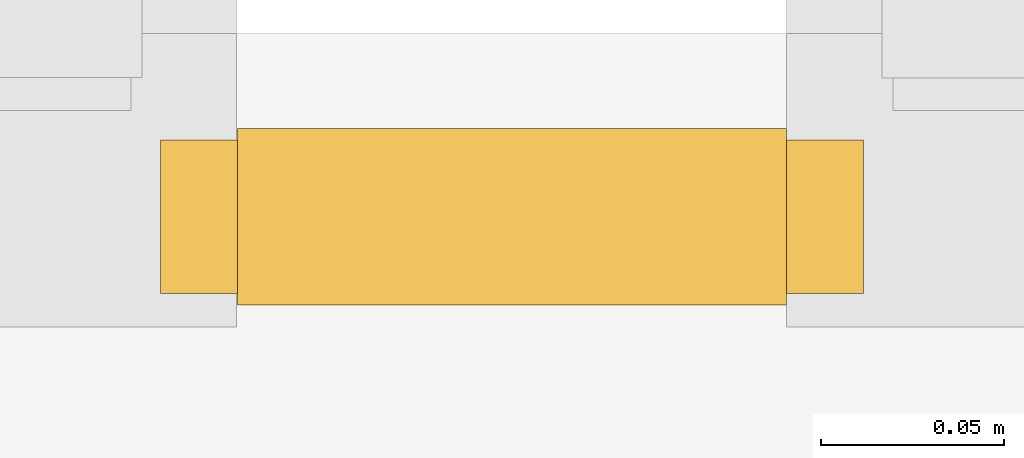
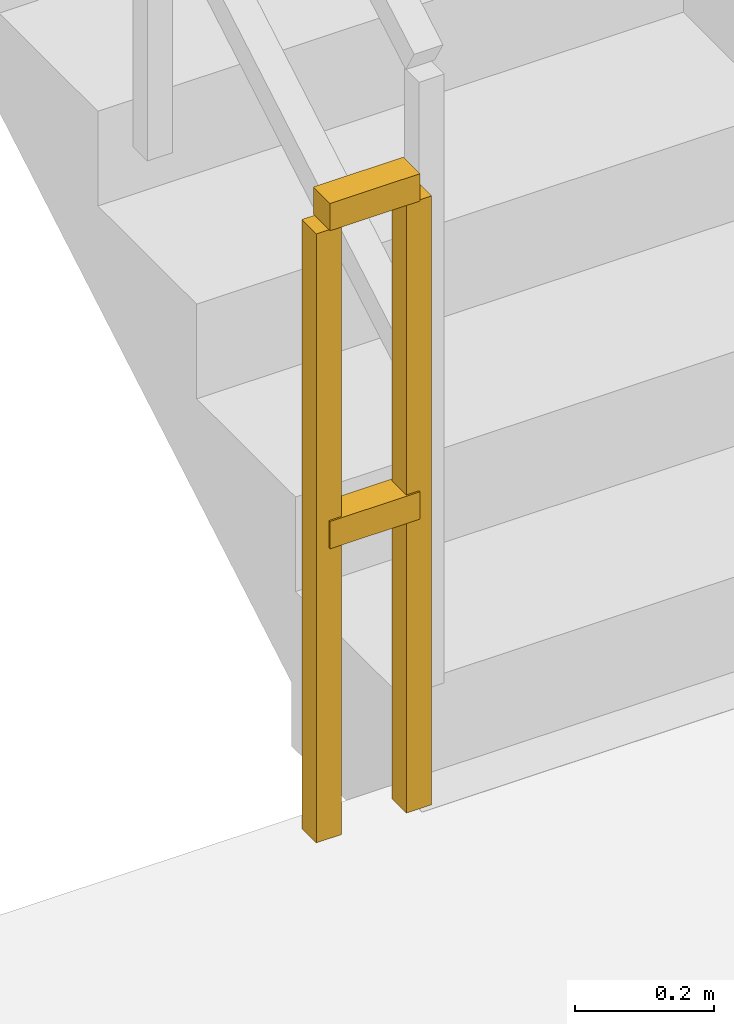
# One storey, part 7 of 10: 1 railing.
"""IFC4 building model written with IfcOpenShell, lengths in metres."""

import ifcopenshell
import ifcopenshell.guid

model = None  # the IFC model being written
_history = None  # IfcOwnerHistory: only IFC2X3 demands one
_inside = {}  # id of a spatial element -> (the spatial element, [elements in it])
_under = {}  # id of a project, library or spatial element -> (it, [spatial elements below it])
_declared = {}  # id of a project -> (the project, [libraries it declares])
_typed = {}  # id of a type object -> (the type object, [elements of that type])
_made_of = {}  # id of a material, layer set ... -> (it, [elements and type objects made of it])


def new_model(schema):
    """Start an empty IFC model of exactly this schema.

    Asked for "IFC4X3", IfcOpenShell would pick the latest addendum, in which some entities
    have other attributes; the version numbers below select the first issue.
    IFC2X3 requires an IfcOwnerHistory on every rooted entity: one is made here for all.
    """
    global model, _history
    if schema == "IFC4X3":
        model = ifcopenshell.file(schema_version=(4, 3, 0, 0))
    else:
        model = ifcopenshell.file(schema=schema)
    _inside.clear()
    _under.clear()
    _declared.clear()
    _typed.clear()
    _made_of.clear()
    _history = None
    if model.schema == "IFC2X3":
        org = make("IfcOrganization", Name="unknown")
        user = make(
            "IfcPersonAndOrganization",
            ThePerson=make("IfcPerson", FamilyName="unknown"),
            TheOrganization=org,
        )
        app = make(
            "IfcApplication",
            ApplicationDeveloper=org,
            Version="unknown",
            ApplicationFullName="unknown",
            ApplicationIdentifier="unknown",
        )
        _history = make(
            "IfcOwnerHistory",
            OwningUser=user,
            OwningApplication=app,
            ChangeAction="ADDED",
            CreationDate=0,
        )
    return model


def make(cls, **values):
    """One entity of the class cls with the attributes given. An attribute that is None is left unset."""
    return model.create_entity(
        cls, **{name: value for name, value in values.items() if value is not None}
    )


def rooted(cls, **values):
    """An entity with a GlobalId (a new one), such as an element, a storey or a relation."""
    return make(cls, GlobalId=ifcopenshell.guid.new(), OwnerHistory=_history, **values)


def si_unit(unit_type, name, prefix=None):
    """IfcSIUnit, for example si_unit("LENGTHUNIT", "METRE", prefix="MILLI")."""
    return make("IfcSIUnit", UnitType=unit_type, Prefix=prefix, Name=name)


def assignment(units):
    """IfcUnitAssignment: the units of a project."""
    return None if units is None else make("IfcUnitAssignment", Units=units)


def point(xyz):
    """IfcCartesianPoint."""
    return None if xyz is None else make("IfcCartesianPoint", Coordinates=xyz)


def direction(xyz):
    """IfcDirection."""
    return None if xyz is None else make("IfcDirection", DirectionRatios=xyz)


def frame(location, z_axis=None, x_axis=None):
    """IfcAxis2Placement3D, a coordinate frame: its origin and axes. An axis left out is left unset."""
    return make(
        "IfcAxis2Placement3D",
        Location=point(location),
        Axis=direction(z_axis),
        RefDirection=direction(x_axis),
    )


def frame_2d(location, x_axis=None):
    """IfcAxis2Placement2D, a coordinate frame in the plane: its origin and x axis."""
    return make(
        "IfcAxis2Placement2D", Location=point(location), RefDirection=direction(x_axis)
    )


def origin():
    """The frame at (0, 0, 0) with its axes left unset."""
    return frame((0.0, 0.0, 0.0))


def origin_2d():
    """The frame at (0, 0) in the plane with its x axis left unset."""
    return frame_2d((0.0, 0.0))


def place(relative_to, where):
    """IfcLocalPlacement: puts the frame where relative to a parent placement (None: the world)."""
    return make(
        "IfcLocalPlacement", PlacementRelTo=relative_to, RelativePlacement=where
    )


def context(
    kind, dimensions, precision=None, world=None, true_north=None, identifier=None
):
    """IfcGeometricRepresentationContext, for example the 3D "Model" context."""
    return make(
        "IfcGeometricRepresentationContext",
        ContextIdentifier=identifier,
        ContextType=kind,
        CoordinateSpaceDimension=dimensions,
        Precision=precision,
        WorldCoordinateSystem=world,
        TrueNorth=true_north,
    )


def subcontext(parent, identifier, kind, view, scale=None):
    """IfcGeometricRepresentationSubContext, for example "Body" below "Model"."""
    return make(
        "IfcGeometricRepresentationSubContext",
        ContextIdentifier=identifier,
        ContextType=kind,
        ParentContext=parent,
        TargetScale=scale,
        TargetView=view,
    )


def project(units=None, contexts=None):
    """IfcProject with its units and contexts."""
    return rooted(
        "IfcProject",
        Name="project",
        RepresentationContexts=contexts,
        UnitsInContext=assignment(units),
    )


def spatial(cls, under=None, at=None, **own):
    """A site, building, storey or space (cls), placed at a placement, below another one or the project."""
    s = rooted(cls, ObjectPlacement=at, **own)
    if under is not None:
        _under.setdefault(under.id(), (under, []))[1].append(s)
    return s


def profile(cls, at=None, kind="AREA", **sizes):
    """A parametric profile (cls). Its sizes go by their IFC names, for example OverallWidth=200.0."""
    return make(cls, ProfileType=kind, Position=at, **sizes)


def rectangle(**sizes):
    """IfcRectangleProfileDef."""
    return profile("IfcRectangleProfileDef", **sizes)


def extrude(swept, where, along, depth):
    """IfcExtrudedAreaSolid: the profile swept, set in the frame where, extruded along a direction by depth."""
    return make(
        "IfcExtrudedAreaSolid",
        SweptArea=swept,
        Position=where,
        ExtrudedDirection=direction(along),
        Depth=depth,
    )


def shape(context_of_items, identifier, shape_type, items):
    """IfcShapeRepresentation: the items that make up one representation, for example the "Body"."""
    return make(
        "IfcShapeRepresentation",
        ContextOfItems=context_of_items,
        RepresentationIdentifier=identifier,
        RepresentationType=shape_type,
        Items=items,
    )


def material(Name=None, Category=None):
    """IfcMaterial."""
    return make("IfcMaterial", Name=Name, Category=Category)


def made_of(thing, what):
    """Note that an element or type object is made of a material, layer set ...; save() writes the relation."""
    if what is not None:
        _made_of.setdefault(what.id(), (what, []))[1].append(thing)
    return thing


def type_object(cls, material=None, **own):
    """A type object (cls), such as IfcWallType, which elements share."""
    return made_of(rooted(cls, **own), material)


def element(
    cls,
    number,
    at=None,
    inside=None,
    cuts=None,
    type_object=None,
    material=None,
    context=None,
    identifier="Body",
    shape_type=None,
    held_by="IfcProductDefinitionShape",
    body=None,
    shapes=None,
    **own,
):
    """One element of the class cls, such as IfcWall. Its Tag is "e" and its number.

    at: its placement. inside: the storey or other place that contains it. cuts: it is an
    opening in that element (IfcRelVoidsElement). A single representation is given by context,
    identifier, shape_type and body (its items); several are given by shapes. held_by: the class
    of the entity that holds the representations. save() writes the other relations.
    """
    e = rooted(cls, Tag="e%d" % number, ObjectPlacement=at, **own)
    if body is not None:
        shapes = [shape(context, identifier, shape_type, body)]
    if shapes is not None:
        e.Representation = make(held_by, Representations=shapes)
    if inside is not None:
        _inside.setdefault(inside.id(), (inside, []))[1].append(e)
    if cuts is not None:
        rooted(
            "IfcRelVoidsElement", RelatingBuildingElement=cuts, RelatedOpeningElement=e
        )
    if type_object is not None:
        _typed.setdefault(type_object.id(), (type_object, []))[1].append(e)
    return made_of(e, material)


def aggregate(whole, parts):
    """IfcRelAggregates: a whole, such as a stair, and the parts it consists of."""
    return rooted("IfcRelAggregates", RelatingObject=whole, RelatedObjects=parts)


def save(model, path):
    """Write the relations noted so far, then the file.

    IfcRelAggregates (storeys below a building ...), IfcRelContainedInSpatialStructure (elements
    in a storey), IfcRelDefinesByType, IfcRelAssociatesMaterial and IfcRelDeclares: one each for
    every whole, place, type object, material and project.
    """
    for whole, parts in _under.values():
        aggregate(whole, parts)
    for where, things in _inside.values():
        rooted(
            "IfcRelContainedInSpatialStructure",
            RelatedElements=things,
            RelatingStructure=where,
        )
    for kind, things in _typed.values():
        rooted("IfcRelDefinesByType", RelatedObjects=things, RelatingType=kind)
    for what, things in _made_of.values():
        rooted("IfcRelAssociatesMaterial", RelatedObjects=things, RelatingMaterial=what)
    for by, libraries in _declared.values():
        rooted("IfcRelDeclares", RelatingContext=by, RelatedDefinitions=libraries)
    model.write(path)


model = new_model("IFC4")

# Units and contexts
model_context = context("Model", 3, precision=1e-05, world=origin(), true_north=direction((0.0, 1.0)))
body_context = subcontext(model_context, "Body", "Model", "MODEL_VIEW")
ifc_project = project(units=[si_unit("LENGTHUNIT", "METRE"), si_unit("AREAUNIT", "SQUARE_METRE"), si_unit("VOLUMEUNIT", "CUBIC_METRE"), si_unit("PLANEANGLEUNIT", "RADIAN"), si_unit("MASSUNIT", "GRAM", prefix="KILO")], contexts=[model_context])

# Site, building, storey
site_placement = place(None, origin())
site = spatial("IfcSite", under=ifc_project, at=site_placement, CompositionType="ELEMENT")
building_placement = place(site_placement, origin())
building = spatial("IfcBuilding", under=site, at=building_placement, Name="Apsidion Concourse Tower", CompositionType="ELEMENT")
storey_placement = place(building_placement, frame((0.0, 0.0, 87.0)))
storey = spatial("IfcBuildingStorey", under=building, at=storey_placement, Name="L19", CompositionType="ELEMENT", Elevation=87.0)

# Railing
ifc_material = material(Name="Brushed stainless steel 316", Category="steel")
railing_type = type_object("IfcRailingType", Name="RL-GUARD-1100", PredefinedType="GUARDRAIL", material=ifc_material)
railing_placement = place(storey_placement, frame((-5.5, 2.949951171875, 0.0)))
element("IfcRailing", 1, at=railing_placement, inside=storey, type_object=railing_type, Name="L19 ST1 stair guard 4", PredefinedType="GUARDRAIL", context=body_context, shape_type="SweptSolid", body=[
    extrude(rectangle(XDim=0.048095703125, YDim=0.048095703125, at=origin_2d()), frame((0.0, 0.0, 1.09619140625), z_axis=(-1.0, 0.0, 0.0), x_axis=(0.0, -1.0, 0.0)), (0.0, 0.0, 1.0), 0.14990234375),
    extrude(rectangle(XDim=0.048095703125, YDim=0.048095703125, at=origin_2d()), frame((0.0, 0.0, 0.5361328125), z_axis=(-1.0, 0.0, 0.0), x_axis=(0.0, -1.0, 0.0)), (0.0, 0.0, 1.0), 0.14990234375),
    extrude(rectangle(XDim=0.0419921875, YDim=0.0419921875, at=origin_2d()), origin(), (0.0, 0.0, 1.0), 1.072021484375),
    extrude(rectangle(XDim=0.0419921875, YDim=0.0419921875, at=origin_2d()), frame((-0.14990234375, 0.0, 0.0)), (0.0, 0.0, 1.0), 1.072021484375),
])

save(model, "model.ifc")
